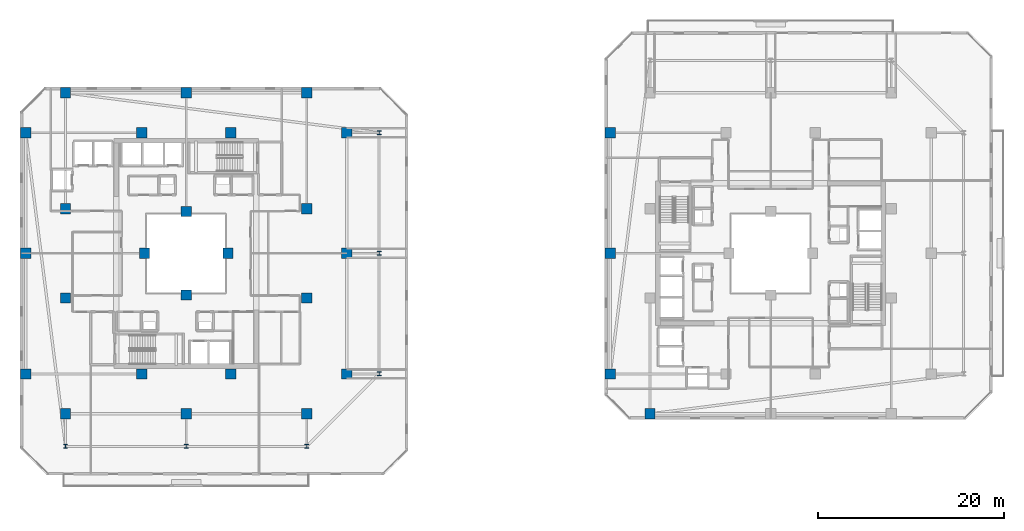
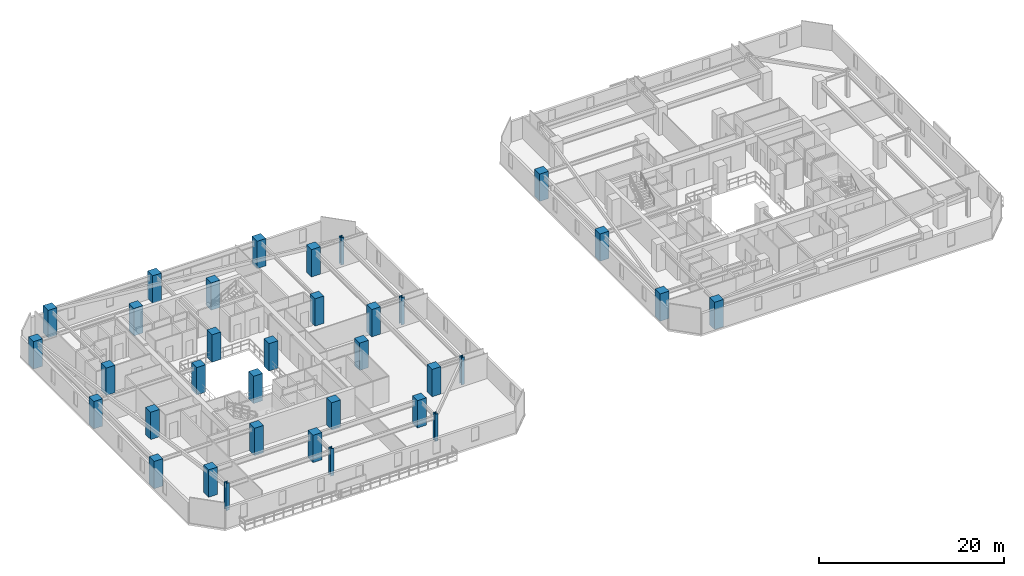
# One storey, part 1 of 33: 34 columns.
"""IFC4 building model written with IfcOpenShell, lengths in metres."""

from ifc_helpers import new_model, si_unit, direction, frame, origin, origin_2d, place, context, subcontext, project, spatial, rectangle, i_section, extrude, material, material_profile, profile_set, type_object, element, save


model = new_model("IFC4")

# Units and contexts
model_context = context("Model", 3, precision=1e-05, world=origin(), true_north=direction((0.0, 1.0)))
body_context = subcontext(model_context, "Body", "Model", "MODEL_VIEW")
ifc_project = project(units=[si_unit("LENGTHUNIT", "METRE"), si_unit("AREAUNIT", "SQUARE_METRE"), si_unit("VOLUMEUNIT", "CUBIC_METRE"), si_unit("PLANEANGLEUNIT", "RADIAN"), si_unit("MASSUNIT", "GRAM", prefix="KILO")], contexts=[model_context])

# Site, building, storey
site_placement = place(None, origin())
site = spatial("IfcSite", under=ifc_project, at=site_placement, CompositionType="ELEMENT")
building_placement = place(site_placement, origin())
building = spatial("IfcBuilding", under=site, at=building_placement, Name="Thornwick Lancets Civic Towers", CompositionType="ELEMENT")
storey_placement = place(building_placement, frame((0.0, 0.0, 167.10009765625)))
storey = spatial("IfcBuildingStorey", under=building, at=storey_placement, Name="L44", CompositionType="ELEMENT", Elevation=167.10009765625)

# Columns
ifc_material_1 = material(Name="Concrete C50/60", Category="concrete")
ifc_material_profile_1 = material_profile(ifc_material_1, rectangle(XDim=1.10009765625, YDim=1.10009765625, at=origin_2d()), Name="RC 1100x1100")
ifc_profile_set_1 = profile_set([ifc_material_profile_1], Name="Concrete C50/60")
column_type_1 = type_object("IfcColumnType", Name="COL_RC_1100", PredefinedType="COLUMN", material=ifc_profile_set_1)
for number, where, z_axis, x_axis, name in (
    (1, (12.5, 9.699951171875, 0.0), (0.0, 0.0, 1.0), (1.0, 0.0, 0.0), "L44 Spine Mega-Column A01"),
    (2, (25.5, 9.699951171875, 0.0), (0.0, 0.0, 1.0), (1.0, 0.0, 0.0), "L44 Spine Mega-Column A02"),
    (3, (38.5, 9.699951171875, 0.0), (0.0, 0.0, 1.0), (1.0, 0.0, 0.0), "L44 Spine Mega-Column A03"),
    (4, (42.800048828125, 14.0, 0.0), (0.0, 0.0, 1.0), (1.0, 0.0, 0.0), "L44 Spine Mega-Column A04"),
    (5, (42.800048828125, 27.0, 0.0), (0.0, 0.0, 1.0), (1.0, 0.0, 0.0), "L44 Spine Mega-Column A05"),
    (6, (42.800048828125, 40.0, 0.0), (0.0, 0.0, 1.0), (1.0, 0.0, 0.0), "L44 Spine Mega-Column A06"),
    (7, (12.5, 44.300048828125, 0.0), (0.0, 0.0, 1.0), (1.0, 0.0, 0.0), "L44 Spine Mega-Column A07"),
    (8, (25.5, 44.300048828125, 0.0), (0.0, 0.0, 1.0), (1.0, 0.0, 0.0), "L44 Spine Mega-Column A08"),
    (9, (38.5, 44.300048828125, 0.0), (0.0, 0.0, 1.0), (1.0, 0.0, 0.0), "L44 Spine Mega-Column A09"),
    (10, (8.199951171875, 14.0, 0.0), (0.0, 0.0, 1.0), (1.0, 0.0, 0.0), "L44 Spine Mega-Column A10"),
    (11, (8.199951171875, 27.0, 0.0), (0.0, 0.0, 1.0), (1.0, 0.0, 0.0), "L44 Spine Mega-Column A11"),
    (12, (8.199951171875, 40.0, 0.0), (0.0, 0.0, 1.0), (1.0, 0.0, 0.0), "L44 Spine Mega-Column A12"),
    (13, (12.5, 22.199951171875, 0.0), (0.0, 0.0, 1.0), (1.0, 0.0, 0.0), "L44 Spine Mega-Column A13"),
    (14, (38.5, 22.199951171875, 0.0), (0.0, 0.0, 1.0), (1.0, 0.0, 0.0), "L44 Spine Mega-Column A14"),
    (15, (12.5, 31.800048828125, 0.0), (0.0, 0.0, 1.0), (1.0, 0.0, 0.0), "L44 Spine Mega-Column A15"),
    (16, (38.5, 31.800048828125, 0.0), (0.0, 0.0, 1.0), (1.0, 0.0, 0.0), "L44 Spine Mega-Column A16"),
    (17, (20.699951171875, 14.0, 0.0), (0.0, 0.0, 1.0), (1.0, 0.0, 0.0), "L44 Spine Mega-Column A17"),
    (18, (30.300048828125, 14.0, 0.0), (0.0, 0.0, 1.0), (1.0, 0.0, 0.0), "L44 Spine Mega-Column A18"),
    (19, (20.699951171875, 40.0, 0.0), (0.0, 0.0, 1.0), (1.0, 0.0, 0.0), "L44 Spine Mega-Column A19"),
    (20, (30.300048828125, 40.0, 0.0), (0.0, 0.0, 1.0), (1.0, 0.0, 0.0), "L44 Spine Mega-Column A20"),
    (21, (25.5, 22.5, 0.0), (0.0, 0.0, 1.0), (1.0, 0.0, 0.0), "L44 Spine Mega-Column A21"),
    (22, (25.5, 31.5, 0.0), (0.0, 0.0, 1.0), (1.0, 0.0, 0.0), "L44 Spine Mega-Column A22"),
    (23, (21.0, 27.0, 0.0), (0.0, 0.0, 1.0), (1.0, 0.0, 0.0), "L44 Spine Mega-Column A23"),
    (24, (30.0, 27.0, 0.0), (0.0, 0.0, 1.0), (1.0, 0.0, 0.0), "L44 Spine Mega-Column A24"),
    (25, (71.199951171875, 14.0, 0.0), (0.0, 0.0, 1.0), (1.0, 0.0, 0.0), "L44 Spine Mega-Column B07"),
    (26, (71.199951171875, 27.0, 0.0), (0.0, 0.0, 1.0), (1.0, 0.0, 0.0), "L44 Spine Mega-Column B08"),
    (27, (71.199951171875, 40.0, 0.0), (0.0, 0.0, 1.0), (1.0, 0.0, 0.0), "L44 Spine Mega-Column B09"),
    (28, (75.5, 9.699951171875, 0.0), (0.0, 0.0, 1.0), (1.0, 0.0, 0.0), "L44 Spine Mega-Column B12"),
):
    element("IfcColumn", number, at=place(storey_placement, frame(where, z_axis=z_axis, x_axis=x_axis)), inside=storey, type_object=column_type_1, Name=name, PredefinedType="COLUMN", context=body_context, shape_type="SweptSolid", body=[
        extrude(rectangle(XDim=1.10009765625, YDim=1.10009765625, at=origin_2d()), origin(), (0.0, 0.0, 1.0), 3.599853515625),
    ])
ifc_material_2 = material(Name="Steel S460M", Category="steel")
ifc_material_profile_2 = material_profile(ifc_material_2, i_section(OverallWidth=0.406982421875, OverallDepth=0.4189453125, WebThickness=0.030517578125, FlangeThickness=0.04931640625, FilletRadius=0.01513671875, at=origin_2d()), Name="UKC 356x406x393")
ifc_profile_set_2 = profile_set([ifc_material_profile_2], Name="Steel S460M")
column_type_2 = type_object("IfcColumnType", Name="COL_UKC_393", PredefinedType="COLUMN", material=ifc_profile_set_2)
for number, where, z_axis, x_axis, name in (
    (29, (12.5, 6.199951171875, 0.0), (0.0, 0.0, 1.0), (1.0, 0.0, 0.0), "L44 Block Perimeter Column A01"),
    (30, (25.5, 6.199951171875, 0.0), (0.0, 0.0, 1.0), (1.0, 0.0, 0.0), "L44 Block Perimeter Column A02"),
    (31, (38.5, 6.199951171875, 0.0), (0.0, 0.0, 1.0), (1.0, 0.0, 0.0), "L44 Block Perimeter Column A03"),
    (32, (46.300048828125, 14.0, 0.0), (0.0, 0.0, 1.0), (1.0, 0.0, 0.0), "L44 Block Perimeter Column A04"),
    (33, (46.300048828125, 27.0, 0.0), (0.0, 0.0, 1.0), (1.0, 0.0, 0.0), "L44 Block Perimeter Column A05"),
    (34, (46.300048828125, 40.0, 0.0), (0.0, 0.0, 1.0), (1.0, 0.0, 0.0), "L44 Block Perimeter Column A06"),
):
    element("IfcColumn", number, at=place(storey_placement, frame(where, z_axis=z_axis, x_axis=x_axis)), inside=storey, type_object=column_type_2, Name=name, PredefinedType="COLUMN", context=body_context, shape_type="SweptSolid", body=[
        extrude(i_section(OverallWidth=0.406982421875, OverallDepth=0.4189453125, WebThickness=0.030517578125, FlangeThickness=0.04931640625, FilletRadius=0.01513671875, at=origin_2d()), origin(), (0.0, 0.0, 1.0), 3.599853515625),
    ])

save(model, "model.ifc")
